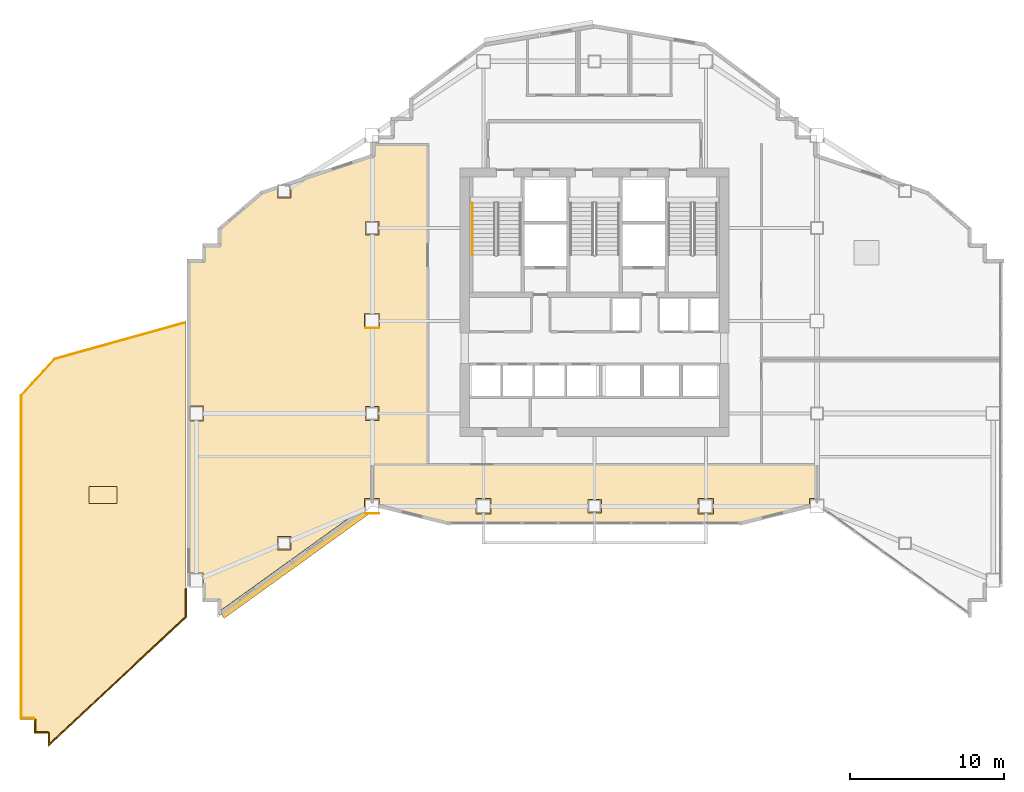
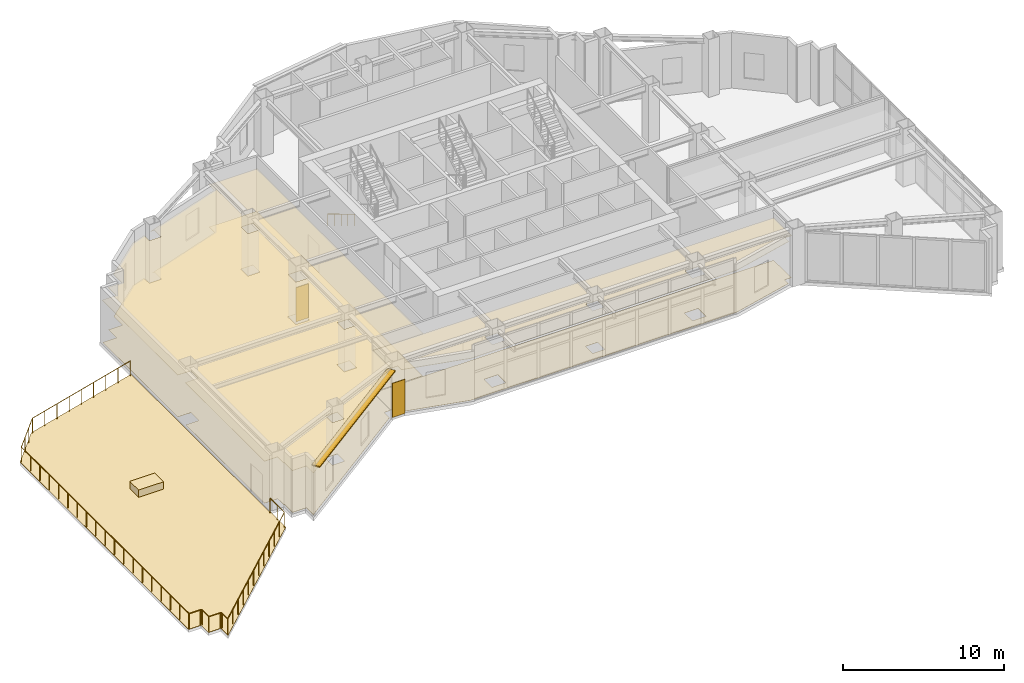
# One storey, part 13 of 16: 8 coverings, 3 railings, 1 shading device.
"""IFC4 building model written with IfcOpenShell, lengths in metres."""

from ifc_helpers import new_model, si_unit, direction, frame, origin, origin_2d, place, context, subcontext, project, spatial, polyline, rectangle, circle, outline, extrude, material, layer, layer_set, type_object, element, save


model = new_model("IFC4")

# Units and contexts
model_context = context("Model", 3, precision=1e-05, world=origin(), true_north=direction((0.0, 1.0)))
body_context = subcontext(model_context, "Body", "Model", "MODEL_VIEW")
ifc_project = project(units=[si_unit("LENGTHUNIT", "METRE"), si_unit("AREAUNIT", "SQUARE_METRE"), si_unit("VOLUMEUNIT", "CUBIC_METRE"), si_unit("PLANEANGLEUNIT", "RADIAN"), si_unit("MASSUNIT", "GRAM", prefix="KILO")], contexts=[model_context])

# Site, building, storey
site_placement = place(None, origin())
site = spatial("IfcSite", under=ifc_project, at=site_placement, CompositionType="ELEMENT")
building_placement = place(site_placement, origin())
building = spatial("IfcBuilding", under=site, at=building_placement, Name="Haolan Belvedere Tower", CompositionType="ELEMENT")
storey_placement = place(building_placement, frame((0.0, 0.0, 164.60009765625)))
storey = spatial("IfcBuildingStorey", under=building, at=storey_placement, Name="L41", CompositionType="ELEMENT", Elevation=164.60009765625)

# Coverings
ifc_material_1 = material(Name="Acoustic mineral-fibre suspended ceiling system", Category="masonry")
ifc_layer_1 = layer(ifc_material_1, 0.02490234375, Name="Acoustic mineral-fibre suspended ceiling system")
ifc_layer_set_1 = layer_set([ifc_layer_1], Name="Acoustic mineral-fibre suspended ceiling system")
covering_type_1 = type_object("IfcCoveringType", Name="COV-CEIL-AC25", PredefinedType="CEILING", material=ifc_layer_set_1)
covering_1_placement = place(storey_placement, frame((0.0, 0.0, 3.199951171875)))
element("IfcCovering", 1, at=covering_1_placement, inside=storey, type_object=covering_type_1, Name="L41 suspended acoustic ceiling L41-SKYL.1", PredefinedType="CEILING", context=body_context, shape_type="SweptSolid", body=[
    extrude(outline(polyline([(47.985595703125, 20.51806640625), (52.3349609375, 21.60546875), (52.3349609375, 22.06494140625), (52.81201171875, 22.06494140625), (52.81201171875, 24.31201171875), (23.988037109375, 24.31201171875), (23.988037109375, 22.06494140625), (24.465087890625, 22.06494140625), (24.465087890625, 21.60546875), (28.814453125, 20.51806640625), (47.985595703125, 20.51806640625)]), holes=[polyline([(45.135009765625, 21.135009765625), (45.135009765625, 22.06494140625), (46.06494140625, 22.06494140625), (46.06494140625, 21.135009765625), (45.135009765625, 21.135009765625)]), polyline([(37.985107421875, 21.18505859375), (37.985107421875, 22.014892578125), (38.81494140625, 22.014892578125), (38.81494140625, 21.18505859375), (37.985107421875, 21.18505859375)]), polyline([(31.6650390625, 21.135009765625), (30.735107421875, 21.135009765625), (30.735107421875, 22.06494140625), (31.6650390625, 22.06494140625), (31.6650390625, 21.135009765625)])]), origin(), (0.0, 0.0, 1.0), 0.02490234375),
])
covering_2_placement = place(storey_placement, frame((0.0, 0.0, 3.199951171875)))
element("IfcCovering", 2, at=covering_2_placement, inside=storey, type_object=covering_type_1, Name="L41 suspended acoustic ceiling L41-WLNG.2", PredefinedType="CEILING", context=body_context, shape_type="SweptSolid", body=[
    extrude(outline(polyline([(13.06494140625, 17.264892578125), (13.06494140625, 16.51806640625), (13.117919921875, 16.51806640625), (13.117919921875, 15.51806640625), (14.117919921875, 15.51806640625), (14.117919921875, 14.63037109375), (23.534912109375, 21.41064453125), (23.534912109375, 22.06494140625), (23.9970703125, 22.06494140625), (23.9970703125, 24.299560546875), (23.9970703125, 24.30029296875), (23.9970703125, 24.30078125), (23.997314453125, 24.301025390625), (23.997314453125, 24.301513671875), (23.99755859375, 24.3017578125), (23.997802734375, 24.3017578125), (23.997802734375, 24.302001953125), (23.998291015625, 24.30224609375), (23.998291015625, 24.302490234375), (23.99853515625, 24.302490234375), (23.9990234375, 24.302734375), (23.9990234375, 24.302978515625), (23.999755859375, 24.302978515625), (24.00048828125, 24.302978515625), (27.612060546875, 24.302978515625), (27.612060546875, 45.011962890625), (24.117919921875, 45.011962890625), (24.117919921875, 44.31494140625), (18.44189453125, 42.423095703125), (18.443115234375, 42.4150390625), (18.715087890625, 42.4150390625), (18.715087890625, 41.5849609375), (17.885009765625, 41.5849609375), (17.885009765625, 42.2373046875), (16.859375, 41.895263671875), (14.117919921875, 39.545654296875), (14.117919921875, 38.48193359375), (13.117919921875, 38.48193359375), (13.117919921875, 37.48193359375), (12.117919921875, 37.48193359375), (12.117919921875, 28.06494140625), (13.06494140625, 28.06494140625), (13.06494140625, 27.135009765625), (12.117919921875, 27.135009765625), (12.117919921875, 17.264892578125), (13.06494140625, 17.264892578125)]), holes=[polyline([(23.534912109375, 33.135009765625), (23.534912109375, 34.06494140625), (24.465087890625, 34.06494140625), (24.465087890625, 33.135009765625), (23.534912109375, 33.135009765625)]), polyline([(24.4150390625, 27.18505859375), (23.5849609375, 27.18505859375), (23.5849609375, 28.014892578125), (24.4150390625, 28.014892578125), (24.4150390625, 27.18505859375)]), polyline([(23.5849609375, 39.18505859375), (23.5849609375, 40.014892578125), (24.4150390625, 40.014892578125), (24.4150390625, 39.18505859375), (23.5849609375, 39.18505859375)]), polyline([(17.885009765625, 18.784912109375), (17.885009765625, 19.614990234375), (18.715087890625, 19.614990234375), (18.715087890625, 18.784912109375), (17.885009765625, 18.784912109375)])]), origin(), (0.0, 0.0, 1.0), 0.02490234375),
])
ifc_material_2 = material(Name="Pale champagne-silver anodised aluminium rainscreen cladding", Category="aluminium")
ifc_layer_2 = layer(ifc_material_2, 0.034912109375, Name="Pale champagne-silver anodised aluminium rainscreen cladding")
ifc_layer_set_2 = layer_set([ifc_layer_2], Name="Pale champagne-silver anodised aluminium rainscreen cladding")
covering_type_2 = type_object("IfcCoveringType", Name="COV-CLAD-35", PredefinedType="CLADDING", material=ifc_layer_set_2)
for number, where, z_axis, x_axis, name in (
    (3, (24.0, 21.135009765625, 0.199951171875), (0.0, 0.0, 1.0), (1.0, 0.0, 0.0), "L41 pale-metal pier rainscreen cladding 1"),
    (4, (24.0, 33.135009765625, 0.199951171875), (0.0, 0.0, 1.0), (1.0, 0.0, 0.0), "L41 pale-metal pier rainscreen cladding 2"),
):
    element("IfcCovering", number, at=place(storey_placement, frame(where, z_axis=z_axis, x_axis=x_axis)), inside=storey, type_object=covering_type_2, Name=name, PredefinedType="CLADDING", context=body_context, shape_type="SweptSolid", body=[
        extrude(rectangle(XDim=0.89990234375, YDim=0.034912109375, at=origin_2d()), origin(), (0.0, 0.0, 1.0), 2.60009765625),
    ])
ifc_material_3 = material(Name="Honed terrazzo and natural granite stone flooring", Category="masonry")
ifc_layer_3 = layer(ifc_material_3, 0.014892578125, Name="Honed terrazzo and natural granite stone flooring")
ifc_layer_set_3 = layer_set([ifc_layer_3], Name="Honed terrazzo and natural granite stone flooring")
covering_type_3 = type_object("IfcCoveringType", Name="COV-FLR-STN30", PredefinedType="FLOORING", material=ifc_layer_set_3)
covering_3_placement = place(storey_placement, origin())
element("IfcCovering", 5, at=covering_3_placement, inside=storey, type_object=covering_type_3, Name="L41 polished stone floor finish L41-SKYL.1", PredefinedType="FLOORING", context=body_context, shape_type="SweptSolid", body=[
    extrude(outline(polyline([(52.31005859375, 21.625), (52.31005859375, 22.090087890625), (52.787109375, 22.090087890625), (52.787109375, 24.287109375), (24.012939453125, 24.287109375), (24.012939453125, 22.090087890625), (24.489990234375, 22.090087890625), (24.489990234375, 21.625), (28.817626953125, 20.54296875), (47.982421875, 20.54296875), (52.31005859375, 21.625)]), holes=[polyline([(45.110107421875, 22.090087890625), (46.090087890625, 22.090087890625), (46.090087890625, 21.110107421875), (45.110107421875, 21.110107421875), (45.110107421875, 22.090087890625)]), polyline([(37.9599609375, 22.0400390625), (38.840087890625, 22.0400390625), (38.840087890625, 21.159912109375), (37.9599609375, 21.159912109375), (37.9599609375, 22.0400390625)]), polyline([(30.7099609375, 21.110107421875), (30.7099609375, 22.090087890625), (31.68994140625, 22.090087890625), (31.68994140625, 21.110107421875), (30.7099609375, 21.110107421875)])]), origin(), (0.0, 0.0, 1.0), 0.014892578125),
])
covering_4_placement = place(storey_placement, origin())
element("IfcCovering", 6, at=covering_4_placement, inside=storey, type_object=covering_type_3, Name="L41 polished stone floor finish L41-WLNG.2", PredefinedType="FLOORING", context=body_context, shape_type="SweptSolid", body=[
    extrude(outline(polyline([(13.090087890625, 16.54296875), (13.14306640625, 16.54296875), (13.14306640625, 15.54296875), (14.14306640625, 15.54296875), (14.14306640625, 14.67919921875), (23.510009765625, 21.42333984375), (23.510009765625, 22.090087890625), (23.971923828125, 22.090087890625), (23.971923828125, 24.302490234375), (23.97314453125, 24.309814453125), (23.974609375, 24.31201171875), (23.9755859375, 24.315185546875), (23.977783203125, 24.3173828125), (23.980712890625, 24.322998046875), (23.9853515625, 24.32470703125), (23.987060546875, 24.326171875), (23.99755859375, 24.327880859375), (27.5869140625, 24.327880859375), (27.5869140625, 44.987060546875), (24.14306640625, 44.987060546875), (24.14306640625, 44.296875), (18.595947265625, 42.447998046875), (18.59716796875, 42.43994140625), (18.739990234375, 42.43994140625), (18.739990234375, 41.56005859375), (17.860107421875, 41.56005859375), (17.860107421875, 42.20263671875), (16.871826171875, 41.873046875), (14.14306640625, 39.5341796875), (14.14306640625, 38.45703125), (13.14306640625, 38.45703125), (13.14306640625, 37.45703125), (12.14306640625, 37.45703125), (12.14306640625, 28.090087890625), (13.090087890625, 28.090087890625), (13.090087890625, 27.110107421875), (12.14306640625, 27.110107421875), (12.14306640625, 17.2900390625), (13.090087890625, 17.2900390625), (13.090087890625, 16.54296875)]), holes=[polyline([(23.510009765625, 34.090087890625), (24.489990234375, 34.090087890625), (24.489990234375, 33.110107421875), (23.510009765625, 33.110107421875), (23.510009765625, 34.090087890625)]), polyline([(23.56005859375, 40.0400390625), (24.43994140625, 40.0400390625), (24.43994140625, 39.159912109375), (23.56005859375, 39.159912109375), (23.56005859375, 40.0400390625)]), polyline([(23.56005859375, 27.159912109375), (23.56005859375, 28.0400390625), (24.43994140625, 28.0400390625), (24.43994140625, 27.159912109375), (23.56005859375, 27.159912109375)]), polyline([(17.860107421875, 19.639892578125), (18.739990234375, 19.639892578125), (18.739990234375, 18.760009765625), (17.860107421875, 18.760009765625), (17.860107421875, 19.639892578125)])]), origin(), (0.0, 0.0, 1.0), 0.014892578125),
])
ifc_material_4 = material(Name="Engineered lightweight planted garden soil substrate", Category="masonry")
ifc_layer_4 = layer(ifc_material_4, 0.550048828125, Name="Engineered lightweight planted garden soil substrate")
ifc_layer_set_4 = layer_set([ifc_layer_4], Name="Engineered lightweight planted garden soil substrate")
covering_type_4 = type_object("IfcCoveringType", Name="COV-PLANT-550", PredefinedType="MEMBRANE", material=ifc_layer_set_4)
covering_5_placement = place(storey_placement, frame((6.574951171875, 22.327880859375, 0.0), z_axis=(0.0, 0.0, 1.0), x_axis=(1.0, 0.0, 0.0)))
element("IfcCovering", 7, at=covering_5_placement, inside=storey, type_object=covering_type_4, Name="L41 cascade garden terrace PLANTER bed 1", PredefinedType="MEMBRANE", context=body_context, shape_type="SweptSolid", body=[
    extrude(rectangle(XDim=1.800048828125, YDim=1.10009765625, at=origin_2d()), origin(), (0.0, 0.0, 1.0), 0.550048828125),
])
ifc_material_5 = material(Name="Elastomeric waterproof roofing membrane and stone pavers", Category="masonry")
ifc_layer_5 = layer(ifc_material_5, 0.02001953125, Name="Elastomeric waterproof roofing membrane and stone pavers")
ifc_layer_set_5 = layer_set([ifc_layer_5], Name="Elastomeric waterproof roofing membrane and stone pavers")
covering_type_5 = type_object("IfcCoveringType", Name="COV-ROOF-20", PredefinedType="ROOFING", material=ifc_layer_set_5)
covering_6_placement = place(storey_placement, frame((0.0, 0.0, -0.02001953125)))
element("IfcCovering", 8, at=covering_6_placement, inside=storey, type_object=covering_type_5, Name="L41 garden terrace waterproof roofing paver 1", PredefinedType="ROOFING", context=body_context, shape_type="SweptSolid", body=[
    extrude(outline(polyline([(2.10009765625, 7.79638671875), (2.10009765625, 6.89990234375), (2.996337890625, 6.89990234375), (2.999755859375, 6.89990234375), (3.0, 6.896240234375), (3.0, 6.0), (12.0, 14.39990234375), (12.0, 16.321533203125), (11.9599609375, 16.370361328125), (11.957275390625, 16.37451171875), (11.954833984375, 16.378662109375), (11.952880859375, 16.38330078125), (11.95166015625, 16.387939453125), (11.95068359375, 16.392578125), (11.9501953125, 16.398681640625), (11.949951171875, 16.40185546875), (11.949951171875, 33.5859375), (3.39990234375, 31.199951171875), (1.199951171875, 28.800048828125), (1.199951171875, 7.800048828125), (2.09619140625, 7.800048828125), (2.099853515625, 7.7998046875), (2.10009765625, 7.79638671875)])), origin(), (0.0, 0.0, 1.0), 0.02001953125),
])

# Railings
ifc_material_6 = material(Name="Brushed stainless steel 304", Category="steel")
railing_type_1 = type_object("IfcRailingType", Name="RL-STAIR-HND-900", PredefinedType="HANDRAIL", material=ifc_material_6)
railing_1_placement = place(storey_placement, frame((30.5, 41.22998046875, 0.169189453125)))
element("IfcRailing", 9, at=railing_1_placement, inside=storey, type_object=railing_type_1, Name="L41 ST1 stair handrail 1", PredefinedType="HANDRAIL", context=body_context, shape_type="SweptSolid", body=[
    extrude(circle(Radius=0.02392578125, at=origin_2d()), frame((0.0, 0.0, 0.8759765625), z_axis=(0.0, -0.855820338506, 0.51727318527), x_axis=(1.0, 0.0, 0.0)), (0.0, 0.0, 1.0), 3.92578125),
    extrude(circle(Radius=0.02099609375, at=origin_2d()), origin(), (0.0, 0.0, 1.0), 0.851806640625),
    extrude(circle(Radius=0.02099609375, at=origin_2d()), frame((0.0, -0.83984375, 0.5078125)), (0.0, 0.0, 1.0), 0.851806640625),
    extrude(circle(Radius=0.02099609375, at=origin_2d()), frame((0.0, -1.679931640625, 1.015380859375)), (0.0, 0.0, 1.0), 0.851806640625),
    extrude(circle(Radius=0.02099609375, at=origin_2d()), frame((0.0, -2.52001953125, 1.52294921875)), (0.0, 0.0, 1.0), 0.851806640625),
    extrude(circle(Radius=0.02099609375, at=origin_2d()), frame((0.0, -3.35986328125, 2.03076171875)), (0.0, 0.0, 1.0), 0.851806640625),
])
ifc_material_7 = material(Name="Anodised aluminium and laminated glass balustrade", Category="aluminium")
railing_type_2 = type_object("IfcRailingType", Name="RL-TER-BAL-1150", PredefinedType="BALUSTRADE", material=ifc_material_7)
railing_2_placement = place(storey_placement, frame((2.179931640625, 7.798583984375, 0.0)))
element("IfcRailing", 10, at=railing_2_placement, inside=storey, type_object=railing_type_2, Name="L41 outdoor perimeter balustrade TERR-L41-1-1", PredefinedType="BALUSTRADE", context=body_context, shape_type="SweptSolid", body=[
    extrude(circle(Radius=0.02392578125, at=origin_2d()), frame((0.0, 0.0, 1.1259765625), z_axis=(-0.707106781187, 0.707106781187, 0.0), x_axis=(-0.707106781187, -0.707106781187, 0.0)), (0.0, 0.0, 1.0), 0.114990234375),
    extrude(circle(Radius=0.02392578125, at=origin_2d()), frame((-0.081298828125, 0.081298828125, 1.1259765625), z_axis=(-1.0, 0.0, 0.0), x_axis=(0.0, -1.0, 0.0)), (0.0, 0.0, 1.0), 0.818603515625),
    extrude(circle(Radius=0.02392578125, at=origin_2d()), frame((-0.89990234375, 0.081298828125, 1.1259765625), z_axis=(0.0, 1.0, 0.0), x_axis=(-1.0, 0.0, 0.0)), (0.0, 0.0, 1.0), 20.888916015625),
    extrude(circle(Radius=0.02392578125, at=origin_2d()), frame((-0.89990234375, 20.97021484375, 1.1259765625), z_axis=(0.675710817419, 0.737166800136, 0.0), x_axis=(-0.737166800136, 0.675710817419, 0.0)), (0.0, 0.0, 1.0), 3.201904296875),
    extrude(circle(Radius=0.02392578125, at=origin_2d()), frame((1.263671875, 23.33056640625, 1.1259765625), z_axis=(0.963195456171, 0.268801996294, 0.0), x_axis=(-0.268801996294, 0.963195456171, 0.0)), (0.0, 0.0, 1.0), 8.696533203125),
    extrude(circle(Radius=0.02099609375, at=origin_2d()), origin(), (0.0, 0.0, 1.0), 1.101806640625),
    extrude(circle(Radius=0.02099609375, at=origin_2d()), frame((-0.081298828125, 0.081298828125, 0.0)), (0.0, 0.0, 1.0), 1.101806640625),
    extrude(circle(Radius=0.02099609375, at=origin_2d()), frame((-0.89990234375, 0.081298828125, 0.0)), (0.0, 0.0, 1.0), 1.101806640625),
    extrude(circle(Radius=0.02099609375, at=origin_2d()), frame((-0.89990234375, 1.24169921875, 0.0)), (0.0, 0.0, 1.0), 1.101806640625),
    extrude(circle(Radius=0.02099609375, at=origin_2d()), frame((-0.89990234375, 2.40234375, 0.0)), (0.0, 0.0, 1.0), 1.101806640625),
    extrude(circle(Radius=0.02099609375, at=origin_2d()), frame((-0.89990234375, 3.562744140625, 0.0)), (0.0, 0.0, 1.0), 1.101806640625),
    extrude(circle(Radius=0.02099609375, at=origin_2d()), frame((-0.89990234375, 4.723388671875, 0.0)), (0.0, 0.0, 1.0), 1.101806640625),
    extrude(circle(Radius=0.02099609375, at=origin_2d()), frame((-0.89990234375, 5.8837890625, 0.0)), (0.0, 0.0, 1.0), 1.101806640625),
    extrude(circle(Radius=0.02099609375, at=origin_2d()), frame((-0.89990234375, 7.044189453125, 0.0)), (0.0, 0.0, 1.0), 1.101806640625),
    extrude(circle(Radius=0.02099609375, at=origin_2d()), frame((-0.89990234375, 8.204833984375, 0.0)), (0.0, 0.0, 1.0), 1.101806640625),
    extrude(circle(Radius=0.02099609375, at=origin_2d()), frame((-0.89990234375, 9.365234375, 0.0)), (0.0, 0.0, 1.0), 1.101806640625),
    extrude(circle(Radius=0.02099609375, at=origin_2d()), frame((-0.89990234375, 10.52587890625, 0.0)), (0.0, 0.0, 1.0), 1.101806640625),
    extrude(circle(Radius=0.02099609375, at=origin_2d()), frame((-0.89990234375, 11.686279296875, 0.0)), (0.0, 0.0, 1.0), 1.101806640625),
    extrude(circle(Radius=0.02099609375, at=origin_2d()), frame((-0.89990234375, 12.8466796875, 0.0)), (0.0, 0.0, 1.0), 1.101806640625),
    extrude(circle(Radius=0.02099609375, at=origin_2d()), frame((-0.89990234375, 14.00732421875, 0.0)), (0.0, 0.0, 1.0), 1.101806640625),
    extrude(circle(Radius=0.02099609375, at=origin_2d()), frame((-0.89990234375, 15.167724609375, 0.0)), (0.0, 0.0, 1.0), 1.101806640625),
    extrude(circle(Radius=0.02099609375, at=origin_2d()), frame((-0.89990234375, 16.328125, 0.0)), (0.0, 0.0, 1.0), 1.101806640625),
    extrude(circle(Radius=0.02099609375, at=origin_2d()), frame((-0.89990234375, 17.48876953125, 0.0)), (0.0, 0.0, 1.0), 1.101806640625),
    extrude(circle(Radius=0.02099609375, at=origin_2d()), frame((-0.89990234375, 18.649169921875, 0.0)), (0.0, 0.0, 1.0), 1.101806640625),
    extrude(circle(Radius=0.02099609375, at=origin_2d()), frame((-0.89990234375, 19.809814453125, 0.0)), (0.0, 0.0, 1.0), 1.101806640625),
    extrude(circle(Radius=0.02099609375, at=origin_2d()), frame((-0.89990234375, 20.97021484375, 0.0)), (0.0, 0.0, 1.0), 1.101806640625),
    extrude(circle(Radius=0.02099609375, at=origin_2d()), frame((-0.1787109375, 21.757080078125, 0.0)), (0.0, 0.0, 1.0), 1.101806640625),
    extrude(circle(Radius=0.02099609375, at=origin_2d()), frame((0.54248046875, 22.543701171875, 0.0)), (0.0, 0.0, 1.0), 1.101806640625),
    extrude(circle(Radius=0.02099609375, at=origin_2d()), frame((1.263671875, 23.33056640625, 0.0)), (0.0, 0.0, 1.0), 1.101806640625),
    extrude(circle(Radius=0.02099609375, at=origin_2d()), frame((2.310791015625, 23.622802734375, 0.0)), (0.0, 0.0, 1.0), 1.101806640625),
    extrude(circle(Radius=0.02099609375, at=origin_2d()), frame((3.35791015625, 23.9150390625, 0.0)), (0.0, 0.0, 1.0), 1.101806640625),
    extrude(circle(Radius=0.02099609375, at=origin_2d()), frame((4.40478515625, 24.207275390625, 0.0)), (0.0, 0.0, 1.0), 1.101806640625),
    extrude(circle(Radius=0.02099609375, at=origin_2d()), frame((5.451904296875, 24.49951171875, 0.0)), (0.0, 0.0, 1.0), 1.101806640625),
    extrude(circle(Radius=0.02099609375, at=origin_2d()), frame((6.4990234375, 24.79150390625, 0.0)), (0.0, 0.0, 1.0), 1.101806640625),
    extrude(circle(Radius=0.02099609375, at=origin_2d()), frame((7.5458984375, 25.083740234375, 0.0)), (0.0, 0.0, 1.0), 1.101806640625),
    extrude(circle(Radius=0.02099609375, at=origin_2d()), frame((8.593017578125, 25.3759765625, 0.0)), (0.0, 0.0, 1.0), 1.101806640625),
    extrude(circle(Radius=0.02099609375, at=origin_2d()), frame((9.64013671875, 25.668212890625, 0.0)), (0.0, 0.0, 1.0), 1.101806640625),
])
railing_3_placement = place(storey_placement, frame((11.919921875, 16.219970703125, 0.0)))
element("IfcRailing", 11, at=railing_3_placement, inside=storey, type_object=railing_type_2, Name="L41 outdoor perimeter balustrade TERR-L41-1-2", PredefinedType="BALUSTRADE", context=body_context, shape_type="SweptSolid", body=[
    extrude(circle(Radius=0.02392578125, at=origin_2d()), frame((0.0, 0.0, 1.1259765625), z_axis=(0.0, -1.0, 0.0), x_axis=(1.0, 0.0, 0.0)), (0.0, 0.0, 1.0), 1.78515625),
    extrude(circle(Radius=0.02392578125, at=origin_2d()), frame((0.0, -1.78515625, 1.1259765625), z_axis=(-0.731046539881, -0.682327602057, 0.0), x_axis=(0.682327602057, -0.731046539881, 0.0)), (0.0, 0.0, 1.0), 12.092041015625),
    extrude(circle(Radius=0.02392578125, at=origin_2d()), frame((-8.83984375, -10.035888671875, 1.1259765625), z_axis=(0.0, 1.0, 0.0), x_axis=(-1.0, 0.0, 0.0)), (0.0, 0.0, 1.0), 0.714599609375),
    extrude(circle(Radius=0.02392578125, at=origin_2d()), frame((-8.83984375, -9.3212890625, 1.1259765625), z_axis=(-0.708166115403, 0.706045857572, 0.0), x_axis=(-0.706045857572, -0.708166115403, 0.0)), (0.0, 0.0, 1.0), 0.115234375),
    extrude(circle(Radius=0.02392578125, at=origin_2d()), frame((-8.92138671875, -9.239990234375, 1.1259765625), z_axis=(-1.0, 0.0, 0.0), x_axis=(0.0, -1.0, 0.0)), (0.0, 0.0, 1.0), 0.818603515625),
    extrude(circle(Radius=0.02392578125, at=origin_2d()), frame((-9.739990234375, -9.239990234375, 1.1259765625), z_axis=(0.0, 1.0, 0.0), x_axis=(-1.0, 0.0, 0.0)), (0.0, 0.0, 1.0), 0.818603515625),
    extrude(circle(Radius=0.02099609375, at=origin_2d()), origin(), (0.0, 0.0, 1.0), 1.101806640625),
    extrude(circle(Radius=0.02099609375, at=origin_2d()), frame((0.0, -0.892578125, 0.0)), (0.0, 0.0, 1.0), 1.101806640625),
    extrude(circle(Radius=0.02099609375, at=origin_2d()), frame((0.0, -1.78515625, 0.0)), (0.0, 0.0, 1.0), 1.101806640625),
    extrude(circle(Radius=0.02099609375, at=origin_2d()), frame((-0.8037109375, -2.53515625, 0.0)), (0.0, 0.0, 1.0), 1.101806640625),
    extrude(circle(Radius=0.02099609375, at=origin_2d()), frame((-1.607177734375, -3.285400390625, 0.0)), (0.0, 0.0, 1.0), 1.101806640625),
    extrude(circle(Radius=0.02099609375, at=origin_2d()), frame((-2.410888671875, -4.035400390625, 0.0)), (0.0, 0.0, 1.0), 1.101806640625),
    extrude(circle(Radius=0.02099609375, at=origin_2d()), frame((-3.214599609375, -4.785400390625, 0.0)), (0.0, 0.0, 1.0), 1.101806640625),
    extrude(circle(Radius=0.02099609375, at=origin_2d()), frame((-4.01806640625, -5.535400390625, 0.0)), (0.0, 0.0, 1.0), 1.101806640625),
    extrude(circle(Radius=0.02099609375, at=origin_2d()), frame((-4.82177734375, -6.28564453125, 0.0)), (0.0, 0.0, 1.0), 1.101806640625),
    extrude(circle(Radius=0.02099609375, at=origin_2d()), frame((-5.625244140625, -7.03564453125, 0.0)), (0.0, 0.0, 1.0), 1.101806640625),
    extrude(circle(Radius=0.02099609375, at=origin_2d()), frame((-6.428955078125, -7.78564453125, 0.0)), (0.0, 0.0, 1.0), 1.101806640625),
    extrude(circle(Radius=0.02099609375, at=origin_2d()), frame((-7.232666015625, -8.53564453125, 0.0)), (0.0, 0.0, 1.0), 1.101806640625),
    extrude(circle(Radius=0.02099609375, at=origin_2d()), frame((-8.0361328125, -9.285888671875, 0.0)), (0.0, 0.0, 1.0), 1.101806640625),
    extrude(circle(Radius=0.02099609375, at=origin_2d()), frame((-8.83984375, -10.035888671875, 0.0)), (0.0, 0.0, 1.0), 1.101806640625),
    extrude(circle(Radius=0.02099609375, at=origin_2d()), frame((-8.83984375, -9.3212890625, 0.0)), (0.0, 0.0, 1.0), 1.101806640625),
    extrude(circle(Radius=0.02099609375, at=origin_2d()), frame((-8.92138671875, -9.239990234375, 0.0)), (0.0, 0.0, 1.0), 1.101806640625),
    extrude(circle(Radius=0.02099609375, at=origin_2d()), frame((-9.739990234375, -9.239990234375, 0.0)), (0.0, 0.0, 1.0), 1.101806640625),
    extrude(circle(Radius=0.02099609375, at=origin_2d()), frame((-9.739990234375, -8.42138671875, 0.0)), (0.0, 0.0, 1.0), 1.101806640625),
])

# Shading device
ifc_material_8 = material(Name="Anodised champagne-silver aluminium 6063-T6", Category="aluminium")
ifc_layer_6 = layer(ifc_material_8, 0.080078125, Name="Anodised champagne-silver aluminium 6063-T6")
ifc_layer_set_6 = layer_set([ifc_layer_6], Name="Anodised champagne-silver aluminium 6063-T6")
shading_device_type = type_object("IfcShadingDeviceType", Name="SHD-SUN-550", PredefinedType="USERDEFINED", material=ifc_layer_set_6)
shading_device_placement = place(storey_placement, frame((18.8984375, 17.90234375, 3.71484375), z_axis=(0.0, 0.0, 1.0), x_axis=(0.811533191666, 0.584306322766, 0.0)))
element("IfcShadingDevice", 12, at=shading_device_placement, inside=storey, type_object=shading_device_type, Name="L41 pale-metal horizontal SUNSHADE band 40.1", ObjectType="SUNSHADE", PredefinedType="USERDEFINED", context=body_context, shape_type="SweptSolid", body=[
    extrude(rectangle(XDim=11.444580078125, YDim=0.550048828125, at=origin_2d()), origin(), (0.0, 0.0, 1.0), 0.080078125),
])

save(model, "model.ifc")
